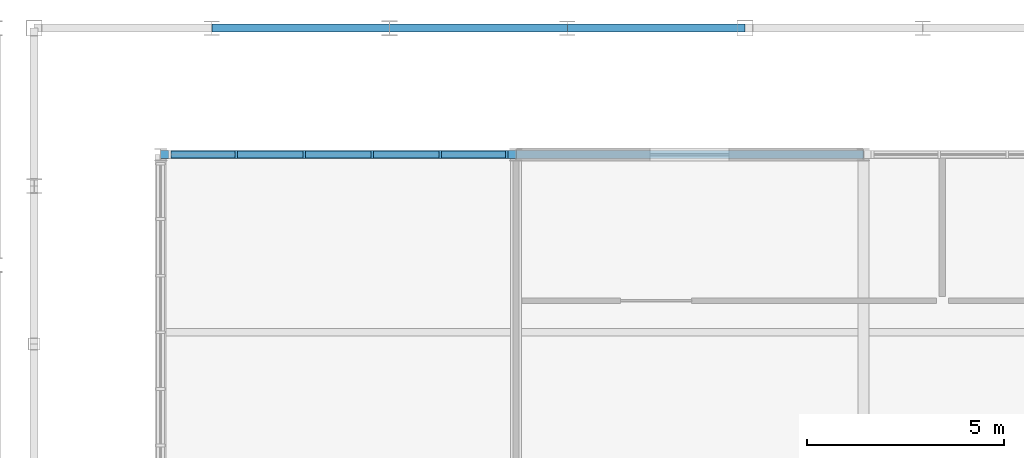
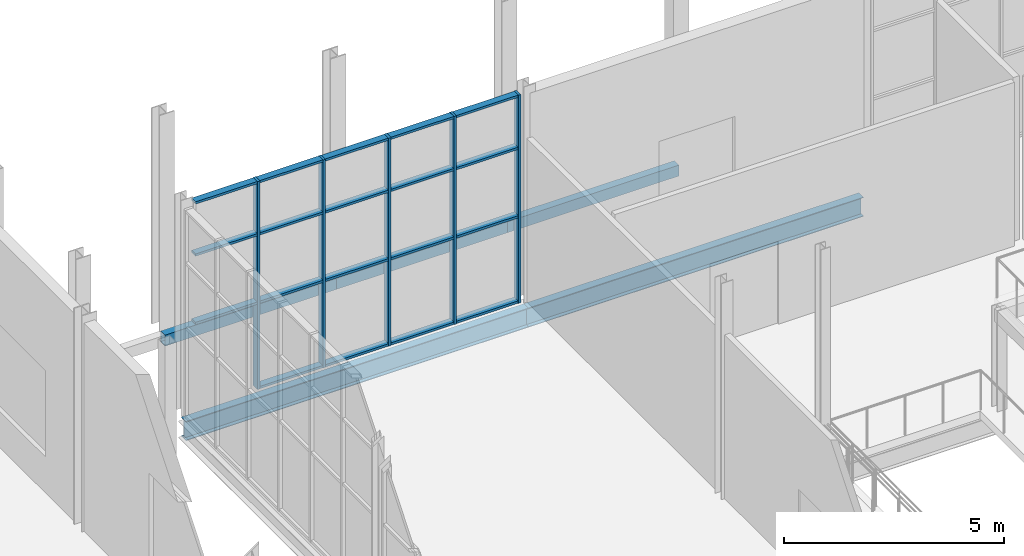
# One storey, part 59 of 159: 24 members, 5 beams, 1 element without a shape of its own.
"""IFC4 building model written with IfcOpenShell, lengths in metres."""

from ifc_helpers import new_model, si_unit, direction, frame, origin, origin_2d, place, context, subcontext, project, spatial, rectangle, hollow_rectangle, i_section, extrude, material, layer, layer_set, material_profile, profile_set, type_object, element, aggregate, save


model = new_model("IFC4")

# Units and contexts
model_context = context("Model", 3, precision=1e-05, world=origin(), true_north=direction((0.0, 1.0)))
body_context = subcontext(model_context, "Body", "Model", "MODEL_VIEW")
ifc_project = project(units=[si_unit("LENGTHUNIT", "METRE"), si_unit("AREAUNIT", "SQUARE_METRE"), si_unit("VOLUMEUNIT", "CUBIC_METRE"), si_unit("PLANEANGLEUNIT", "RADIAN"), si_unit("MASSUNIT", "GRAM", prefix="KILO")], contexts=[model_context])

# Site, building, storey
site_placement = place(None, origin())
site = spatial("IfcSite", under=ifc_project, at=site_placement, CompositionType="ELEMENT")
building_placement = place(site_placement, origin())
building = spatial("IfcBuilding", under=site, at=building_placement, Name="Cazmaro Siding Exhibition Halls", CompositionType="ELEMENT")
storey_placement = place(building_placement, frame((0.0, 0.0, 6.0)))
storey = spatial("IfcBuildingStorey", under=building, at=storey_placement, Name="L01", CompositionType="ELEMENT", Elevation=6.0)

# Beams
ifc_material_1 = material(Name="Steel ASTM A992 Grade 50", Category="steel")
ifc_material_profile_1 = material_profile(ifc_material_1, i_section(OverallWidth=0.2099609375, OverallDepth=0.535888671875, WebThickness=0.010986328125, FlangeThickness=0.01708984375, at=origin_2d()), Name="W21X68")
ifc_profile_set_1 = profile_set([ifc_material_profile_1], Name="Steel ASTM A992 Grade 50")
beam_type_1 = type_object("IfcBeamType", Name="B-02", PredefinedType="BEAM", material=ifc_profile_set_1)
beam_1_placement = place(storey_placement, frame((48.199951171875, 120.800048828125, -0.488037109375), z_axis=(1.0, 0.0, 0.0), x_axis=(0.0, 1.0, 0.0)))
element("IfcBeam", 1, at=beam_1_placement, inside=storey, type_object=beam_type_1, Name="Beam B-02 BM-0262", PredefinedType="BEAM", context=body_context, shape_type="SweptSolid", body=[
    extrude(i_section(OverallWidth=0.2099609375, OverallDepth=0.535888671875, WebThickness=0.010986328125, FlangeThickness=0.01708984375, at=origin_2d()), origin(), (0.0, 0.0, 1.0), 9.0),
])
beam_2_placement = place(storey_placement, frame((57.199951171875, 120.800048828125, -0.488037109375), z_axis=(1.0, 0.0, 0.0), x_axis=(0.0, 1.0, 0.0)))
element("IfcBeam", 2, at=beam_2_placement, inside=storey, type_object=beam_type_1, Name="Beam B-02 BM-0265", PredefinedType="BEAM", context=body_context, shape_type="SweptSolid", body=[
    extrude(i_section(OverallWidth=0.2099609375, OverallDepth=0.535888671875, WebThickness=0.010986328125, FlangeThickness=0.01708984375, at=origin_2d()), origin(), (0.0, 0.0, 1.0), 8.800048828125),
])

# Curtain wall, members
ifc_material_2 = material(Name="Anodized Bronze Aluminum and Solar-Control Low-E Glazing", Category="aluminium")
ifc_layer = layer(ifc_material_2, 0.199951171875)
ifc_layer_set = layer_set([ifc_layer], Name="Anodized Bronze Aluminum and Solar-Control Low-E Glazing")
curtain_wall_type = type_object("IfcCurtainWallType", Name="CWS-02", PredefinedType="USERDEFINED", material=ifc_layer_set)
curtain_wall_placement = place(storey_placement, origin())
curtain_wall = element("IfcCurtainWall", 3, at=curtain_wall_placement, inside=storey, type_object=curtain_wall_type, Name="Glazed Curtain Wall CWS-02 CW-001", ObjectType="GLAZED CURTAIN WALL", PredefinedType="USERDEFINED")
ifc_material_3 = material(Name="Anodized Bronze Extruded Aluminum", Category="aluminium")
ifc_material_profile_2 = material_profile(ifc_material_3, rectangle(XDim=0.199951171875, YDim=0.06494140625, at=origin_2d()), Name="CWM-02")
ifc_profile_set_2 = profile_set([ifc_material_profile_2], Name="Anodized Bronze Extruded Aluminum")
member_type_1 = type_object("IfcMemberType", Name="CWM-02", PredefinedType="MULLION", material=ifc_profile_set_2)
member_1_placement = place(storey_placement, frame((56.970458984375, 120.800048828125, 0.0), z_axis=(0.0, 0.0, 1.0), x_axis=(0.0, -1.0, 0.0)))
member_1 = element("IfcMember", 4, at=member_1_placement, type_object=member_type_1, Name="CWS-02 mullion 1", PredefinedType="MULLION", context=body_context, shape_type="SweptSolid", body=[
    extrude(rectangle(XDim=0.199951171875, YDim=0.06494140625, at=origin_2d()), origin(), (0.0, 0.0, 1.0), 5.780029296875),
])
member_2_placement = place(storey_placement, frame((55.28173828125, 120.800048828125, 0.0), z_axis=(0.0, 0.0, 1.0), x_axis=(0.0, -1.0, 0.0)))
member_2 = element("IfcMember", 5, at=member_2_placement, type_object=member_type_1, Name="CWS-02 mullion 2", PredefinedType="MULLION", context=body_context, shape_type="SweptSolid", body=[
    extrude(rectangle(XDim=0.199951171875, YDim=0.06494140625, at=origin_2d()), origin(), (0.0, 0.0, 1.0), 5.780029296875),
])
member_3_placement = place(storey_placement, frame((53.560546875, 120.800048828125, 0.0), z_axis=(0.0, 0.0, 1.0), x_axis=(0.0, -1.0, 0.0)))
member_3 = element("IfcMember", 6, at=member_3_placement, type_object=member_type_1, Name="CWS-02 mullion 3", PredefinedType="MULLION", context=body_context, shape_type="SweptSolid", body=[
    extrude(rectangle(XDim=0.199951171875, YDim=0.06494140625, at=origin_2d()), origin(), (0.0, 0.0, 1.0), 5.780029296875),
])
member_4_placement = place(storey_placement, frame((51.83935546875, 120.800048828125, 0.0), z_axis=(0.0, 0.0, 1.0), x_axis=(0.0, -1.0, 0.0)))
member_4 = element("IfcMember", 7, at=member_4_placement, type_object=member_type_1, Name="CWS-02 mullion 4", PredefinedType="MULLION", context=body_context, shape_type="SweptSolid", body=[
    extrude(rectangle(XDim=0.199951171875, YDim=0.06494140625, at=origin_2d()), origin(), (0.0, 0.0, 1.0), 5.780029296875),
])
member_5_placement = place(storey_placement, frame((50.1181640625, 120.800048828125, 0.0), z_axis=(0.0, 0.0, 1.0), x_axis=(0.0, -1.0, 0.0)))
member_5 = element("IfcMember", 8, at=member_5_placement, type_object=member_type_1, Name="CWS-02 mullion 5", PredefinedType="MULLION", context=body_context, shape_type="SweptSolid", body=[
    extrude(rectangle(XDim=0.199951171875, YDim=0.06494140625, at=origin_2d()), origin(), (0.0, 0.0, 1.0), 5.780029296875),
])
ifc_material_4 = material(Name="Anodized Bronze Extruded Aluminum", Category="aluminium")
ifc_material_profile_3 = material_profile(ifc_material_4, rectangle(XDim=0.179931640625, YDim=0.06494140625, at=origin_2d()), Name="CWT-02")
ifc_profile_set_3 = profile_set([ifc_material_profile_3], Name="Anodized Bronze Extruded Aluminum")
member_type_2 = type_object("IfcMemberType", Name="CWT-02", PredefinedType="MULLION", material=ifc_profile_set_3)
member_6_placement = place(storey_placement, frame((56.93798828125, 120.800048828125, 0.032470703125), z_axis=(-1.0, 0.0, 0.0), x_axis=(0.0, -1.0, 0.0)))
member_6 = element("IfcMember", 9, at=member_6_placement, type_object=member_type_2, Name="CWS-02 transom 1.1", ObjectType="TRANSOM", PredefinedType="USERDEFINED", context=body_context, shape_type="SweptSolid", body=[
    extrude(rectangle(XDim=0.179931640625, YDim=0.06494140625, at=origin_2d()), origin(), (0.0, 0.0, 1.0), 1.623779296875),
])
member_7_placement = place(storey_placement, frame((56.93798828125, 120.800048828125, 2.39990234375), z_axis=(-1.0, 0.0, 0.0), x_axis=(0.0, -1.0, 0.0)))
member_7 = element("IfcMember", 10, at=member_7_placement, type_object=member_type_2, Name="CWS-02 transom 1.2", ObjectType="TRANSOM", PredefinedType="USERDEFINED", context=body_context, shape_type="SweptSolid", body=[
    extrude(rectangle(XDim=0.179931640625, YDim=0.06494140625, at=origin_2d()), origin(), (0.0, 0.0, 1.0), 1.623779296875),
])
member_8_placement = place(storey_placement, frame((56.93798828125, 120.800048828125, 4.300048828125), z_axis=(-1.0, 0.0, 0.0), x_axis=(0.0, -1.0, 0.0)))
member_8 = element("IfcMember", 11, at=member_8_placement, type_object=member_type_2, Name="CWS-02 transom 1.3", ObjectType="TRANSOM", PredefinedType="USERDEFINED", context=body_context, shape_type="SweptSolid", body=[
    extrude(rectangle(XDim=0.179931640625, YDim=0.06494140625, at=origin_2d()), origin(), (0.0, 0.0, 1.0), 1.623779296875),
])
member_9_placement = place(storey_placement, frame((56.93798828125, 120.800048828125, 5.74755859375), z_axis=(-1.0, 0.0, 0.0), x_axis=(0.0, -1.0, 0.0)))
member_9 = element("IfcMember", 12, at=member_9_placement, type_object=member_type_2, Name="CWS-02 transom 1.4", ObjectType="TRANSOM", PredefinedType="USERDEFINED", context=body_context, shape_type="SweptSolid", body=[
    extrude(rectangle(XDim=0.179931640625, YDim=0.06494140625, at=origin_2d()), origin(), (0.0, 0.0, 1.0), 1.623779296875),
])
member_10_placement = place(storey_placement, frame((55.249267578125, 120.800048828125, 0.032470703125), z_axis=(-1.0, 0.0, 0.0), x_axis=(0.0, -1.0, 0.0)))
member_10 = element("IfcMember", 13, at=member_10_placement, type_object=member_type_2, Name="CWS-02 transom 2.1", ObjectType="TRANSOM", PredefinedType="USERDEFINED", context=body_context, shape_type="SweptSolid", body=[
    extrude(rectangle(XDim=0.179931640625, YDim=0.06494140625, at=origin_2d()), origin(), (0.0, 0.0, 1.0), 1.65625),
])
member_11_placement = place(storey_placement, frame((55.249267578125, 120.800048828125, 2.39990234375), z_axis=(-1.0, 0.0, 0.0), x_axis=(0.0, -1.0, 0.0)))
member_11 = element("IfcMember", 14, at=member_11_placement, type_object=member_type_2, Name="CWS-02 transom 2.2", ObjectType="TRANSOM", PredefinedType="USERDEFINED", context=body_context, shape_type="SweptSolid", body=[
    extrude(rectangle(XDim=0.179931640625, YDim=0.06494140625, at=origin_2d()), origin(), (0.0, 0.0, 1.0), 1.65625),
])
member_12_placement = place(storey_placement, frame((55.249267578125, 120.800048828125, 4.300048828125), z_axis=(-1.0, 0.0, 0.0), x_axis=(0.0, -1.0, 0.0)))
member_12 = element("IfcMember", 15, at=member_12_placement, type_object=member_type_2, Name="CWS-02 transom 2.3", ObjectType="TRANSOM", PredefinedType="USERDEFINED", context=body_context, shape_type="SweptSolid", body=[
    extrude(rectangle(XDim=0.179931640625, YDim=0.06494140625, at=origin_2d()), origin(), (0.0, 0.0, 1.0), 1.65625),
])
member_13_placement = place(storey_placement, frame((55.249267578125, 120.800048828125, 5.74755859375), z_axis=(-1.0, 0.0, 0.0), x_axis=(0.0, -1.0, 0.0)))
member_13 = element("IfcMember", 16, at=member_13_placement, type_object=member_type_2, Name="CWS-02 transom 2.4", ObjectType="TRANSOM", PredefinedType="USERDEFINED", context=body_context, shape_type="SweptSolid", body=[
    extrude(rectangle(XDim=0.179931640625, YDim=0.06494140625, at=origin_2d()), origin(), (0.0, 0.0, 1.0), 1.65625),
])
member_14_placement = place(storey_placement, frame((53.528076171875, 120.800048828125, 0.032470703125), z_axis=(-1.0, 0.0, 0.0), x_axis=(0.0, -1.0, 0.0)))
member_14 = element("IfcMember", 17, at=member_14_placement, type_object=member_type_2, Name="CWS-02 transom 3.1", ObjectType="TRANSOM", PredefinedType="USERDEFINED", context=body_context, shape_type="SweptSolid", body=[
    extrude(rectangle(XDim=0.179931640625, YDim=0.06494140625, at=origin_2d()), origin(), (0.0, 0.0, 1.0), 1.65625),
])
member_15_placement = place(storey_placement, frame((53.528076171875, 120.800048828125, 2.39990234375), z_axis=(-1.0, 0.0, 0.0), x_axis=(0.0, -1.0, 0.0)))
member_15 = element("IfcMember", 18, at=member_15_placement, type_object=member_type_2, Name="CWS-02 transom 3.2", ObjectType="TRANSOM", PredefinedType="USERDEFINED", context=body_context, shape_type="SweptSolid", body=[
    extrude(rectangle(XDim=0.179931640625, YDim=0.06494140625, at=origin_2d()), origin(), (0.0, 0.0, 1.0), 1.65625),
])
member_16_placement = place(storey_placement, frame((53.528076171875, 120.800048828125, 4.300048828125), z_axis=(-1.0, 0.0, 0.0), x_axis=(0.0, -1.0, 0.0)))
member_16 = element("IfcMember", 19, at=member_16_placement, type_object=member_type_2, Name="CWS-02 transom 3.3", ObjectType="TRANSOM", PredefinedType="USERDEFINED", context=body_context, shape_type="SweptSolid", body=[
    extrude(rectangle(XDim=0.179931640625, YDim=0.06494140625, at=origin_2d()), origin(), (0.0, 0.0, 1.0), 1.65625),
])
member_17_placement = place(storey_placement, frame((53.528076171875, 120.800048828125, 5.74755859375), z_axis=(-1.0, 0.0, 0.0), x_axis=(0.0, -1.0, 0.0)))
member_17 = element("IfcMember", 20, at=member_17_placement, type_object=member_type_2, Name="CWS-02 transom 3.4", ObjectType="TRANSOM", PredefinedType="USERDEFINED", context=body_context, shape_type="SweptSolid", body=[
    extrude(rectangle(XDim=0.179931640625, YDim=0.06494140625, at=origin_2d()), origin(), (0.0, 0.0, 1.0), 1.65625),
])
member_18_placement = place(storey_placement, frame((51.806884765625, 120.800048828125, 0.032470703125), z_axis=(-1.0, 0.0, 0.0), x_axis=(0.0, -1.0, 0.0)))
member_18 = element("IfcMember", 21, at=member_18_placement, type_object=member_type_2, Name="CWS-02 transom 4.1", ObjectType="TRANSOM", PredefinedType="USERDEFINED", context=body_context, shape_type="SweptSolid", body=[
    extrude(rectangle(XDim=0.179931640625, YDim=0.06494140625, at=origin_2d()), origin(), (0.0, 0.0, 1.0), 1.65625),
])
member_19_placement = place(storey_placement, frame((51.806884765625, 120.800048828125, 2.39990234375), z_axis=(-1.0, 0.0, 0.0), x_axis=(0.0, -1.0, 0.0)))
member_19 = element("IfcMember", 22, at=member_19_placement, type_object=member_type_2, Name="CWS-02 transom 4.2", ObjectType="TRANSOM", PredefinedType="USERDEFINED", context=body_context, shape_type="SweptSolid", body=[
    extrude(rectangle(XDim=0.179931640625, YDim=0.06494140625, at=origin_2d()), origin(), (0.0, 0.0, 1.0), 1.65625),
])
member_20_placement = place(storey_placement, frame((51.806884765625, 120.800048828125, 4.300048828125), z_axis=(-1.0, 0.0, 0.0), x_axis=(0.0, -1.0, 0.0)))
member_20 = element("IfcMember", 23, at=member_20_placement, type_object=member_type_2, Name="CWS-02 transom 4.3", ObjectType="TRANSOM", PredefinedType="USERDEFINED", context=body_context, shape_type="SweptSolid", body=[
    extrude(rectangle(XDim=0.179931640625, YDim=0.06494140625, at=origin_2d()), origin(), (0.0, 0.0, 1.0), 1.65625),
])
member_21_placement = place(storey_placement, frame((51.806884765625, 120.800048828125, 5.74755859375), z_axis=(-1.0, 0.0, 0.0), x_axis=(0.0, -1.0, 0.0)))
member_21 = element("IfcMember", 24, at=member_21_placement, type_object=member_type_2, Name="CWS-02 transom 4.4", ObjectType="TRANSOM", PredefinedType="USERDEFINED", context=body_context, shape_type="SweptSolid", body=[
    extrude(rectangle(XDim=0.179931640625, YDim=0.06494140625, at=origin_2d()), origin(), (0.0, 0.0, 1.0), 1.65625),
])
member_22_placement = place(storey_placement, frame((50.085693359375, 120.800048828125, 2.39990234375), z_axis=(-1.0, 0.0, 0.0), x_axis=(0.0, -1.0, 0.0)))
member_22 = element("IfcMember", 25, at=member_22_placement, type_object=member_type_2, Name="CWS-02 transom 5.2", ObjectType="TRANSOM", PredefinedType="USERDEFINED", context=body_context, shape_type="SweptSolid", body=[
    extrude(rectangle(XDim=0.179931640625, YDim=0.06494140625, at=origin_2d()), origin(), (0.0, 0.0, 1.0), 1.623779296875),
])
member_23_placement = place(storey_placement, frame((50.085693359375, 120.800048828125, 4.300048828125), z_axis=(-1.0, 0.0, 0.0), x_axis=(0.0, -1.0, 0.0)))
member_23 = element("IfcMember", 26, at=member_23_placement, type_object=member_type_2, Name="CWS-02 transom 5.3", ObjectType="TRANSOM", PredefinedType="USERDEFINED", context=body_context, shape_type="SweptSolid", body=[
    extrude(rectangle(XDim=0.179931640625, YDim=0.06494140625, at=origin_2d()), origin(), (0.0, 0.0, 1.0), 1.623779296875),
])
member_24_placement = place(storey_placement, frame((50.085693359375, 120.800048828125, 5.74755859375), z_axis=(-1.0, 0.0, 0.0), x_axis=(0.0, -1.0, 0.0)))
member_24 = element("IfcMember", 27, at=member_24_placement, type_object=member_type_2, Name="CWS-02 transom 5.4", ObjectType="TRANSOM", PredefinedType="USERDEFINED", context=body_context, shape_type="SweptSolid", body=[
    extrude(rectangle(XDim=0.179931640625, YDim=0.06494140625, at=origin_2d()), origin(), (0.0, 0.0, 1.0), 1.623779296875),
])
aggregate(curtain_wall, [member_1, member_2, member_3, member_4, member_5, member_6, member_7, member_8, member_9, member_10, member_11, member_12, member_13, member_14, member_15, member_16, member_17, member_18, member_19, member_20, member_21, member_22, member_23, member_24])

# Beams
ifc_material_5 = material(Name="Steel ASTM A500 Grade C", Category="steel")
ifc_material_profile_4 = material_profile(ifc_material_5, hollow_rectangle(XDim=0.202880859375, YDim=0.304931640625, WallThickness=0.011962890625, at=origin_2d()), Name="HSS12X8X1/2")
ifc_profile_set_4 = profile_set([ifc_material_profile_4], Name="Steel ASTM A500 Grade C")
beam_type_2 = type_object("IfcBeamType", Name="SP-01", PredefinedType="SPANDREL", material=ifc_profile_set_4)
for number, where, z_axis, x_axis, name in (
    (28, (49.5, 124.0, -0.3720703125), (1.0, 0.0, 0.0), (0.0, 1.0, 0.0), "Beam SP-01 BM-0070"),
    (29, (54.0, 124.0, -0.3720703125), (1.0, 0.0, 0.0), (0.0, 1.0, 0.0), "Beam SP-01 BM-0076"),
    (30, (58.5, 124.0, -0.3720703125), (1.0, 0.0, 0.0), (0.0, 1.0, 0.0), "Beam SP-01 BM-0082"),
):
    element("IfcBeam", number, at=place(storey_placement, frame(where, z_axis=z_axis, x_axis=x_axis)), inside=storey, type_object=beam_type_2, Name=name, PredefinedType="SPANDREL", context=body_context, shape_type="SweptSolid", body=[
        extrude(hollow_rectangle(XDim=0.202880859375, YDim=0.304931640625, WallThickness=0.011962890625, at=origin_2d()), origin(), (0.0, 0.0, 1.0), 4.5),
    ])

save(model, "model.ifc")
